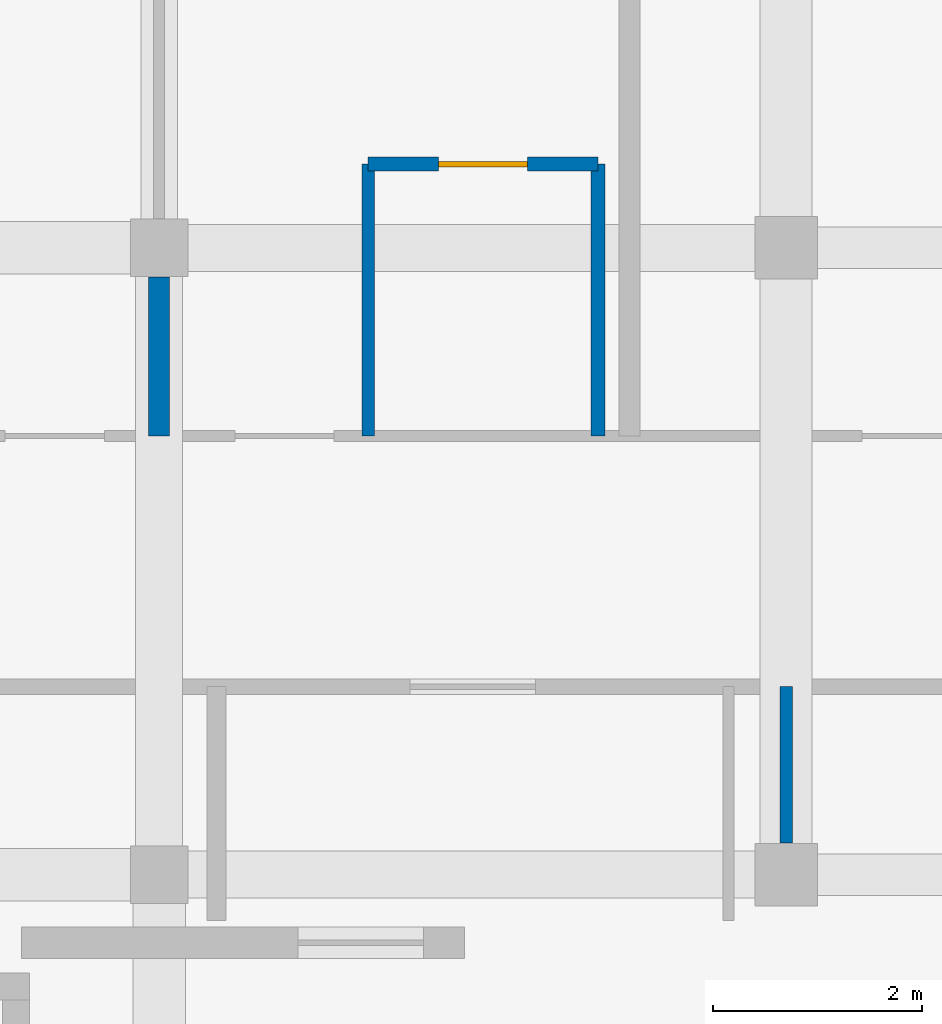
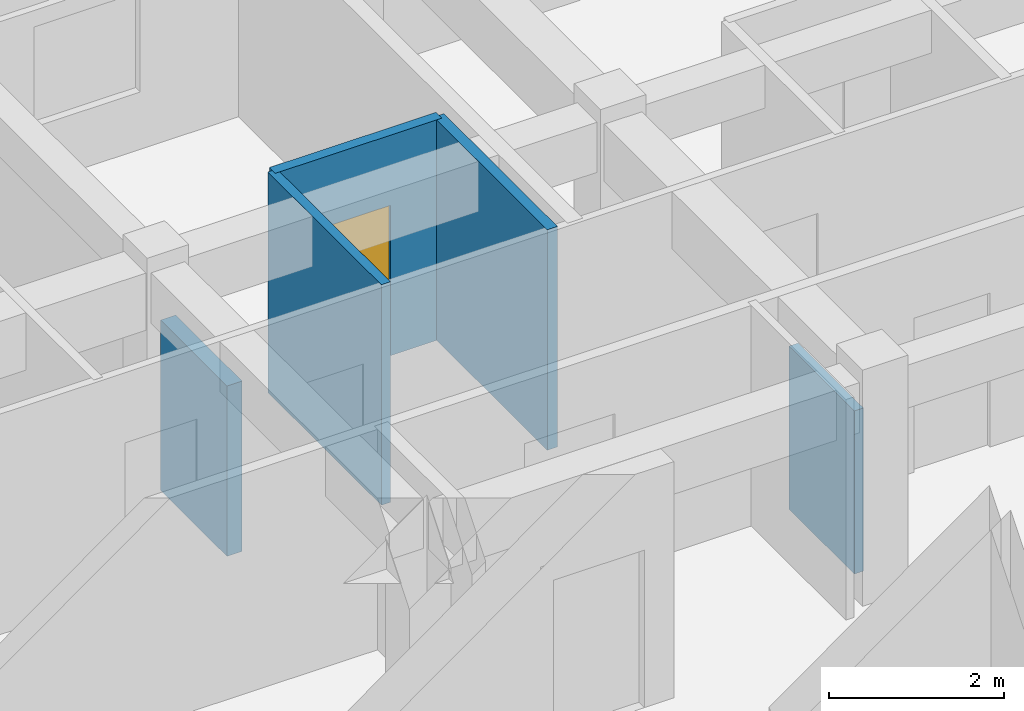
# One storey, part 12 of 22: 5 walls, 1 door, 1 opening.
"""IFC4 building model written with IfcOpenShell, lengths in metres."""

from ifc_helpers import new_model, si_unit, direction, frame, frame_2d, origin, place, context, subcontext, project, spatial, rectangle, extrude, material, layer, layer_set, type_object, element, fill, save


model = new_model("IFC4")

# Units and contexts
model_context = context("Model", 3, precision=1e-05, world=origin(), true_north=direction((0.0, 1.0)))
body_context = subcontext(model_context, "Body", "Model", "MODEL_VIEW")
ifc_project = project(units=[si_unit("LENGTHUNIT", "METRE"), si_unit("AREAUNIT", "SQUARE_METRE"), si_unit("VOLUMEUNIT", "CUBIC_METRE"), si_unit("PLANEANGLEUNIT", "RADIAN"), si_unit("MASSUNIT", "GRAM", prefix="KILO"), si_unit("THERMODYNAMICTEMPERATUREUNIT", "KELVIN"), si_unit("POWERUNIT", "WATT")], contexts=[model_context])

# Site, building, storey
site_placement = place(None, origin())
site = spatial("IfcSite", under=ifc_project, at=site_placement, CompositionType="ELEMENT")
building_placement = place(site_placement, origin())
building = spatial("IfcBuilding", under=site, at=building_placement, Name="Phaisarnlok Congress Hotel", CompositionType="ELEMENT")
storey_placement = place(building_placement, frame((0.0, 0.0, 28.199951171875)))
storey = spatial("IfcBuildingStorey", under=building, at=storey_placement, Name="L06", CompositionType="ELEMENT", Elevation=28.199951171875)

# Walls
ifc_material_1 = material(Name="Lightweight Metal-Stud Gypsum Partition", Category="gypsum")
ifc_layer_1 = layer(ifc_material_1, 0.1201171875, Name="Lightweight Metal-Stud Gypsum Partition")
ifc_layer_set_1 = layer_set([ifc_layer_1], Name="Lightweight Metal-Stud Gypsum Partition")
wall_type_1 = type_object("IfcWallType", Name="WL-INT-120", PredefinedType="PARTITIONING", material=ifc_layer_set_1)
wall_1_placement = place(storey_placement, frame((116.0, 118.199951171875, 0.0), z_axis=(0.0, 0.0, 1.0), x_axis=(0.0, 1.0, 0.0)))
element("IfcWall", 1, at=wall_1_placement, inside=storey, type_object=wall_type_1, Name="Interior partition wall IW-07 (L06)", PredefinedType="PARTITIONING", context=body_context, shape_type="SweptSolid", body=[
    extrude(rectangle(XDim=2.60009765625, YDim=0.1201171875, at=frame_2d((1.300048828125, 0.0))), origin(), (0.0, 0.0, 1.0), 3.080078125),
])
wall_2_placement = place(storey_placement, frame((120.0, 114.304931640625, 0.0), z_axis=(0.0, 0.0, 1.0), x_axis=(0.0, 1.0, 0.0)))
element("IfcWall", 2, at=wall_2_placement, inside=storey, type_object=wall_type_1, Name="Interior partition wall IW-07 (L06)", PredefinedType="PARTITIONING", context=body_context, shape_type="SweptSolid", body=[
    extrude(rectangle(XDim=1.4951171875, YDim=0.1201171875, at=frame_2d((0.74755859375, 0.0))), origin(), (0.0, 0.0, 1.0), 2.280029296875),
])
ifc_material_2 = material(Name="Moisture-Resistant Gypsum Partition", Category="gypsum")
ifc_layer_2 = layer(ifc_material_2, 0.135009765625, Name="Moisture-Resistant Gypsum Partition")
ifc_layer_set_2 = layer_set([ifc_layer_2], Name="Moisture-Resistant Gypsum Partition")
wall_type_2 = type_object("IfcWallType", Name="WL-INT-135", PredefinedType="PARTITIONING", material=ifc_layer_set_2)
wall_3_placement = place(storey_placement, frame((118.199951171875, 118.199951171875, 0.0), z_axis=(0.0, 0.0, 1.0), x_axis=(0.0, 1.0, 0.0)))
element("IfcWall", 3, at=wall_3_placement, inside=storey, type_object=wall_type_2, Name="Interior partition wall IW-06 (L06)", PredefinedType="PARTITIONING", context=body_context, shape_type="SweptSolid", body=[
    extrude(rectangle(XDim=2.60009765625, YDim=0.135009765625, at=frame_2d((1.300048828125, 0.0))), origin(), (0.0, 0.0, 1.0), 3.080078125),
])

# Wall, opening, door
wall_4_placement = place(storey_placement, frame((116.0, 120.800048828125, 0.0), z_axis=(0.0, 0.0, 1.0), x_axis=(1.0, 0.0, 0.0)))
wall_4 = element("IfcWall", 4, at=wall_4_placement, inside=storey, type_object=wall_type_2, Name="Interior partition wall IW-06 (L06)", PredefinedType="PARTITIONING", context=body_context, shape_type="SweptSolid", body=[
    extrude(rectangle(XDim=2.199951171875, YDim=0.135009765625, at=frame_2d((1.10009765625, 0.0))), origin(), (0.0, 0.0, 1.0), 3.080078125),
])
opening_placement = place(wall_4_placement, frame((0.675048828125, 0.0, 0.0)))
opening = element("IfcOpeningElement", 5, at=opening_placement, cuts=wall_4, Name="Opening D-0249", PredefinedType="OPENING", context=body_context, shape_type="SweptSolid", body=[
    extrude(rectangle(XDim=0.85009765625, YDim=2.10009765625, at=frame_2d((0.425048828125, 1.050048828125))), frame((0.0, 0.07763671875, 0.0), z_axis=(0.0, -1.0, 0.0), x_axis=(1.0, 0.0, 0.0)), (0.0, 0.0, 1.0), 0.155029296875),
])
ifc_material_3 = material(Name="Moisture-Resistant Lacquered Timber", Category="wood")
door_type = type_object("IfcDoorType", Name="DR-BATH-850", OperationType="NOTDEFINED", PredefinedType="DOOR", material=ifc_material_3)
door_placement = place(opening_placement, origin())
door = element("IfcDoor", 6, at=door_placement, inside=storey, type_object=door_type, Name="Interior door D-0249 (L06)", OperationType="SINGLE_SWING_RIGHT", OverallHeight=2.10009765625, OverallWidth=0.85009765625, PredefinedType="DOOR", context=body_context, shape_type="SweptSolid", body=[
    extrude(rectangle(XDim=0.85009765625, YDim=2.10009765625, at=frame_2d((0.425048828125, 1.050048828125))), frame((0.0, 0.02490234375, 0.0), z_axis=(0.0, -1.0, 0.0), x_axis=(1.0, 0.0, 0.0)), (0.0, 0.0, 1.0), 0.050048828125),
])
fill(opening, door)

# Wall
ifc_material_4 = material(Name="Autoclaved Aerated Concrete Block", Category="concrete")
ifc_layer_3 = layer(ifc_material_4, 0.199951171875, Name="Autoclaved Aerated Concrete Block")
ifc_layer_set_3 = layer_set([ifc_layer_3], Name="Autoclaved Aerated Concrete Block")
wall_type_3 = type_object("IfcWallType", Name="WL-INT-200", PredefinedType="PARTITIONING", material=ifc_layer_set_3)
wall_5_placement = place(storey_placement, frame((114.0, 118.199951171875, 0.0), z_axis=(0.0, 0.0, 1.0), x_axis=(0.0, 1.0, 0.0)))
element("IfcWall", 7, at=wall_5_placement, inside=storey, type_object=wall_type_3, Name="Interior partition wall IW-02 (L06)", PredefinedType="PARTITIONING", context=body_context, shape_type="SweptSolid", body=[
    extrude(rectangle(XDim=1.52001953125, YDim=0.199951171875, at=frame_2d((0.760009765625, 0.0))), origin(), (0.0, 0.0, 1.0), 2.380126953125),
])

save(model, "model.ifc")
